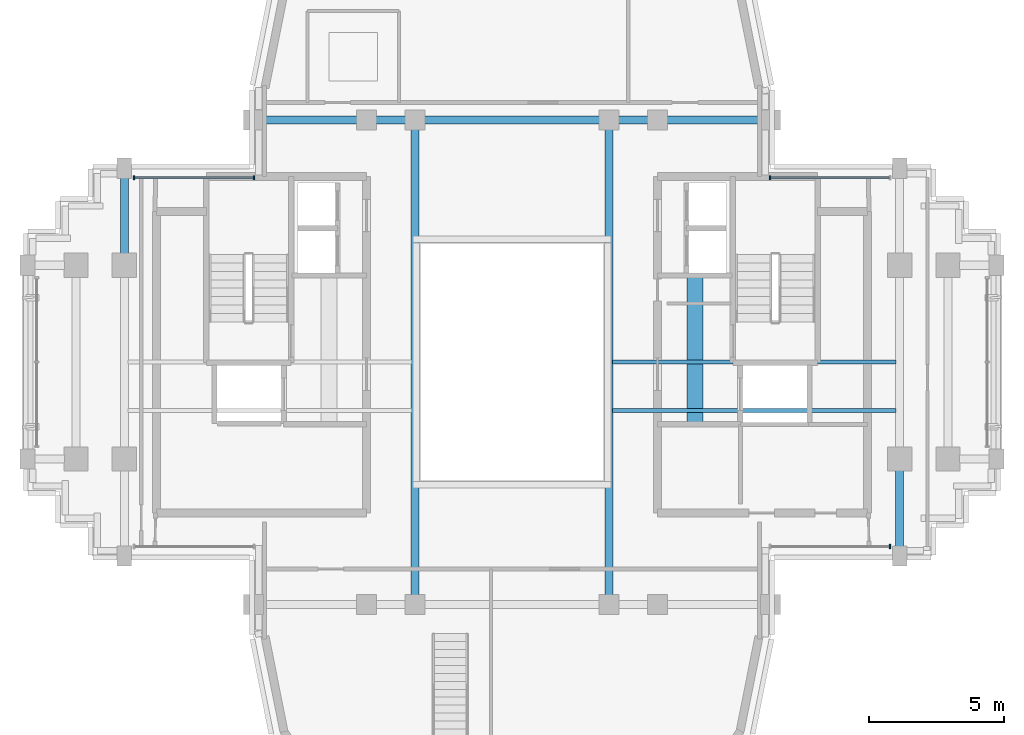
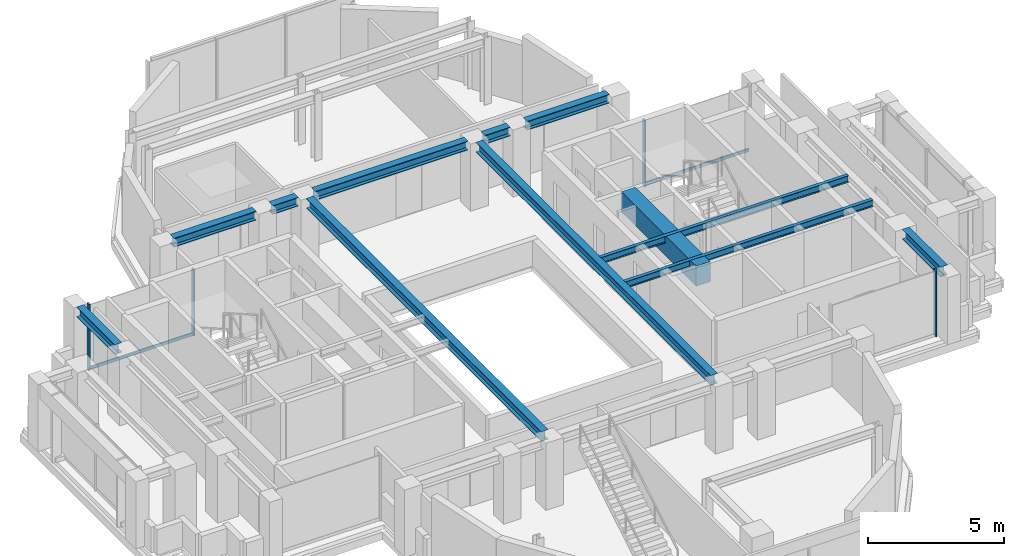
# One storey, part 5 of 12: 12 beams, 6 members, 3 elements without a shape of their own.
"""IFC4 building model written with IfcOpenShell, lengths in metres."""

from ifc_helpers import new_model, si_unit, direction, frame, origin, origin_2d, place, context, subcontext, project, spatial, rectangle, i_section, extrude, source, transform, mapped, material, material_profile, profile_set, type_object, element, aggregate, save


model = new_model("IFC4")

# Units and contexts
model_context = context("Model", 3, precision=1e-05, world=origin(), true_north=direction((0.0, 1.0)))
body_context = subcontext(model_context, "Body", "Model", "MODEL_VIEW")
ifc_project = project(units=[si_unit("LENGTHUNIT", "METRE"), si_unit("AREAUNIT", "SQUARE_METRE"), si_unit("VOLUMEUNIT", "CUBIC_METRE"), si_unit("PLANEANGLEUNIT", "RADIAN"), si_unit("MASSUNIT", "GRAM", prefix="KILO")], contexts=[model_context])

# Site, building, storey
site_placement = place(None, origin())
site = spatial("IfcSite", under=ifc_project, at=site_placement, CompositionType="ELEMENT")
building_placement = place(site_placement, origin())
building = spatial("IfcBuilding", under=site, at=building_placement, Name="Keilestroom Media Tower", CompositionType="ELEMENT")
storey_placement = place(building_placement, frame((0.0, 0.0, 239.60009765625)))
storey = spatial("IfcBuildingStorey", under=building, at=storey_placement, Name="L66", CompositionType="ELEMENT", Elevation=239.60009765625)

# Beams
ifc_material_1 = material(Name="Concrete C70/85", Category="concrete")
ifc_material_profile_1 = material_profile(ifc_material_1, rectangle(XDim=0.60009765625, YDim=0.89990234375, at=origin_2d()), Name="RC 600x900")
ifc_profile_set_1 = profile_set([ifc_material_profile_1], Name="Concrete C70/85")
beam_type_1 = type_object("IfcBeamType", Name="Core-Coupling-Lintel-Beam-RC-600x900", PredefinedType="LINTEL", material=ifc_profile_set_1)
shared_shape_1 = source(origin(), body_context, "Body", "SweptSolid", [
    extrude(rectangle(XDim=0.60009765625, YDim=0.89990234375, at=origin_2d()), origin(), (0.0, 0.0, 1.0), 5.52001953125),
])
beam_1_placement = place(storey_placement, frame((6.800048828125, -2.300048828125, 2.559814453125), z_axis=(0.0, 1.0, 0.0), x_axis=(-1.0, 0.0, 0.0)))
element("IfcBeam", 1, at=beam_1_placement, inside=storey, type_object=beam_type_1, Name="L66 Beam CLB-1 CLB-L66-E", PredefinedType="LINTEL", context=body_context, shape_type="MappedRepresentation", body=[
    mapped(shared_shape_1, transform((0.0, 0.0, 0.0), x_axis=(1.0, 0.0, 0.0), y_axis=(0.0, 1.0, 0.0), z_axis=(0.0, 0.0, 1.0), scale=1.0)),
])
ifc_material_2 = material(Name="Steel S355", Category="steel")
ifc_material_profile_2 = material_profile(ifc_material_2, i_section(OverallWidth=0.300048828125, OverallDepth=0.39990234375, WebThickness=0.011474609375, FlangeThickness=0.02392578125, at=origin_2d()), Name="HEB 400")
ifc_profile_set_2 = profile_set([ifc_material_profile_2], Name="Steel S355")
beam_type_2 = type_object("IfcBeamType", Name="Primary-Structural-Girder-HEB-400", PredefinedType="BEAM", material=ifc_profile_set_2)
shared_shape_2 = source(origin(), body_context, "Body", "SweptSolid", [
    extrude(i_section(OverallWidth=0.300048828125, OverallDepth=0.39990234375, WebThickness=0.011474609375, FlangeThickness=0.02392578125, at=origin_2d()), origin(), (0.0, 0.0, 1.0), 3.490234375),
])
for number, where, z_axis, x_axis, name in (
    (2, (-9.2451171875, 9.0, 2.809814453125), (1.0, 0.0, 0.0), (0.0, 1.0, 0.0), "L66 Beam BG-8 BM-L66-EW-016"),
    (3, (5.7548828125, 9.0, 2.809814453125), (1.0, 0.0, 0.0), (0.0, 1.0, 0.0), "L66 Beam BG-8 BM-L66-EW-020"),
):
    element("IfcBeam", number, at=place(storey_placement, frame(where, z_axis=z_axis, x_axis=x_axis)), inside=storey, type_object=beam_type_2, Name=name, PredefinedType="BEAM", context=body_context, shape_type="MappedRepresentation", body=[
        mapped(shared_shape_2, transform((0.0, 0.0, 0.0), x_axis=(1.0, 0.0, 0.0), y_axis=(0.0, 1.0, 0.0), z_axis=(0.0, 0.0, 1.0), scale=1.0)),
    ])
shared_shape_3 = source(origin(), body_context, "Body", "SweptSolid", [
    extrude(i_section(OverallWidth=0.300048828125, OverallDepth=0.39990234375, WebThickness=0.011474609375, FlangeThickness=0.02392578125, at=origin_2d()), origin(), (0.0, 0.0, 1.0), 1.08984375),
])
for number, where, z_axis, x_axis, name in (
    (4, (-5.044921875, 9.0, 2.809814453125), (1.0, 0.0, 0.0), (0.0, 1.0, 0.0), "L66 Beam BG-8 BM-L66-EW-017"),
    (5, (3.955078125, 9.0, 2.809814453125), (1.0, 0.0, 0.0), (0.0, 1.0, 0.0), "L66 Beam BG-8 BM-L66-EW-019"),
):
    element("IfcBeam", number, at=place(storey_placement, frame(where, z_axis=z_axis, x_axis=x_axis)), inside=storey, type_object=beam_type_2, Name=name, PredefinedType="BEAM", context=body_context, shape_type="MappedRepresentation", body=[
        mapped(shared_shape_3, transform((0.0, 0.0, 0.0), x_axis=(1.0, 0.0, 0.0), y_axis=(0.0, 1.0, 0.0), z_axis=(0.0, 0.0, 1.0), scale=1.0)),
    ])
shared_shape_4 = source(origin(), body_context, "Body", "SweptSolid", [
    extrude(i_section(OverallWidth=0.300048828125, OverallDepth=0.39990234375, WebThickness=0.011474609375, FlangeThickness=0.02392578125, at=origin_2d()), origin(), (0.0, 0.0, 1.0), 6.490234375),
])
beam_2_placement = place(storey_placement, frame((-3.2451171875, 9.0, 2.809814453125), z_axis=(1.0, 0.0, 0.0), x_axis=(0.0, 1.0, 0.0)))
element("IfcBeam", 6, at=beam_2_placement, inside=storey, type_object=beam_type_2, Name="L66 Beam BG-8 BM-L66-EW-018", PredefinedType="BEAM", context=body_context, shape_type="MappedRepresentation", body=[
    mapped(shared_shape_4, transform((0.0, 0.0, 0.0), x_axis=(1.0, 0.0, 0.0), y_axis=(0.0, 1.0, 0.0), z_axis=(0.0, 0.0, 1.0), scale=1.0)),
])
ifc_material_profile_3 = material_profile(ifc_material_2, i_section(OverallWidth=0.300048828125, OverallDepth=0.43994140625, WebThickness=0.011474609375, FlangeThickness=0.02099609375, at=origin_2d()), Name="HEA 450")
ifc_profile_set_3 = profile_set([ifc_material_profile_3], Name="Steel S355")
beam_type_3 = type_object("IfcBeamType", Name="Primary-Structural-Girder-HEA-450", PredefinedType="BEAM", material=ifc_profile_set_3)
shared_shape_5 = source(origin(), body_context, "Body", "SweptSolid", [
    extrude(i_section(OverallWidth=0.300048828125, OverallDepth=0.43994140625, WebThickness=0.011474609375, FlangeThickness=0.02099609375, at=origin_2d()), origin(), (0.0, 0.0, 1.0), 2.81494140625),
])
for number, where, z_axis, x_axis, name in (
    (7, (-14.39990234375, 4.030029296875, 2.789794921875), (0.0, 1.0, 0.0), (-1.0, 0.0, 0.0), "L66 Beam BG-11 BM-L66-NS-029"),
    (8, (14.39990234375, -6.844970703125, 2.789794921875), (0.0, 1.0, 0.0), (-1.0, 0.0, 0.0), "L66 Beam BG-11 BM-L66-NS-040"),
):
    element("IfcBeam", number, at=place(storey_placement, frame(where, z_axis=z_axis, x_axis=x_axis)), inside=storey, type_object=beam_type_3, Name=name, PredefinedType="BEAM", context=body_context, shape_type="MappedRepresentation", body=[
        mapped(shared_shape_5, transform((0.0, 0.0, 0.0), x_axis=(1.0, 0.0, 0.0), y_axis=(0.0, 1.0, 0.0), z_axis=(0.0, 0.0, 1.0), scale=1.0)),
    ])
shared_shape_6 = source(origin(), body_context, "Body", "SweptSolid", [
    extrude(i_section(OverallWidth=0.300048828125, OverallDepth=0.43994140625, WebThickness=0.011474609375, FlangeThickness=0.02099609375, at=origin_2d()), origin(), (0.0, 0.0, 1.0), 17.2900390625),
])
for number, where, z_axis, x_axis, name in (
    (9, (-3.60009765625, -8.64501953125, 2.789794921875), (0.0, 1.0, 0.0), (-1.0, 0.0, 0.0), "L66 Beam BG-11 BM-L66-NS-033"),
    (10, (3.60009765625, -8.64501953125, 2.789794921875), (0.0, 1.0, 0.0), (-1.0, 0.0, 0.0), "L66 Beam BG-11 BM-L66-NS-036"),
):
    element("IfcBeam", number, at=place(storey_placement, frame(where, z_axis=z_axis, x_axis=x_axis)), inside=storey, type_object=beam_type_3, Name=name, PredefinedType="BEAM", context=body_context, shape_type="MappedRepresentation", body=[
        mapped(shared_shape_6, transform((0.0, 0.0, 0.0), x_axis=(1.0, 0.0, 0.0), y_axis=(0.0, 1.0, 0.0), z_axis=(0.0, 0.0, 1.0), scale=1.0)),
    ])
ifc_material_profile_4 = material_profile(ifc_material_2, i_section(OverallWidth=0.14990234375, OverallDepth=0.300048828125, WebThickness=0.007080078125, FlangeThickness=0.0107421875, at=origin_2d()), Name="IPE 300")
ifc_profile_set_4 = profile_set([ifc_material_profile_4], Name="Steel S355")
beam_type_4 = type_object("IfcBeamType", Name="Secondary-Floor-Joist-IPE-300", PredefinedType="JOIST", material=ifc_profile_set_4)
shared_shape_7 = source(origin(), body_context, "Body", "SweptSolid", [
    extrude(i_section(OverallWidth=0.14990234375, OverallDepth=0.300048828125, WebThickness=0.007080078125, FlangeThickness=0.0107421875, at=origin_2d()), origin(), (0.0, 0.0, 1.0), 10.5400390625),
])
for number, where, z_axis, x_axis, name in (
    (11, (3.72998046875, -1.800048828125, 2.85986328125), (1.0, 0.0, 0.0), (0.0, 1.0, 0.0), "L66 Beam BJ-7 JST-L66-047"),
    (12, (3.72998046875, 0.0, 2.85986328125), (1.0, 0.0, 0.0), (0.0, 1.0, 0.0), "L66 Beam BJ-7 JST-L66-050"),
):
    element("IfcBeam", number, at=place(storey_placement, frame(where, z_axis=z_axis, x_axis=x_axis)), inside=storey, type_object=beam_type_4, Name=name, PredefinedType="JOIST", context=body_context, shape_type="MappedRepresentation", body=[
        mapped(shared_shape_7, transform((0.0, 0.0, 0.0), x_axis=(1.0, 0.0, 0.0), y_axis=(0.0, 1.0, 0.0), z_axis=(0.0, 0.0, 1.0), scale=1.0)),
    ])

# Curtain wall, members
ifc_material_3 = material(Name="Anodised Aluminium Alloy", Category="aluminium")
curtain_wall_type = type_object("IfcCurtainWallType", Name="Unitised-Curtain-Wall-CW-4", PredefinedType="NOTDEFINED", material=ifc_material_3)
curtain_wall_1_placement = place(storey_placement, origin())
curtain_wall_1 = element("IfcCurtainWall", 13, at=curtain_wall_1_placement, inside=storey, type_object=curtain_wall_type, Name="L66 Curtain Wall CW-4 CW-L66-NW-1", PredefinedType="NOTDEFINED")
ifc_material_profile_5 = material_profile(ifc_material_3, rectangle(XDim=0.06005859375, YDim=0.159912109375, at=origin_2d()), Name="ALU MULLION 60x160")
ifc_profile_set_5 = profile_set([ifc_material_profile_5], Name="Anodised Aluminium Alloy")
member_type_1 = type_object("IfcMemberType", Name="Curtain-Wall-Mullion-CW-4", PredefinedType="MULLION", material=ifc_profile_set_5)
shared_shape_8 = source(origin(), body_context, "Body", "SweptSolid", [
    extrude(rectangle(XDim=0.06005859375, YDim=0.159912109375, at=origin_2d()), origin(), (0.0, 0.0, 1.0), 2.97998046875),
])
member_1_placement = place(storey_placement, frame((-14.034912109375, 6.85009765625, 0.0), z_axis=(0.0, 0.0, 1.0), x_axis=(1.0, 0.0, 0.0)))
member_1 = element("IfcMember", 14, at=member_1_placement, type_object=member_type_1, Name="CW-4 Mullion 00", PredefinedType="MULLION", context=body_context, shape_type="MappedRepresentation", body=[
    mapped(shared_shape_8, transform((0.0, 0.0, 0.0), x_axis=(1.0, 0.0, 0.0), y_axis=(0.0, 1.0, 0.0), z_axis=(0.0, 0.0, 1.0), scale=1.0)),
])
member_2_placement = place(storey_placement, frame((-9.580078125, 6.85009765625, 0.0), z_axis=(0.0, 0.0, 1.0), x_axis=(1.0, 0.0, 0.0)))
member_2 = element("IfcMember", 15, at=member_2_placement, type_object=member_type_1, Name="CW-4 Mullion 01", PredefinedType="MULLION", context=body_context, shape_type="MappedRepresentation", body=[
    mapped(shared_shape_8, transform((0.0, 0.0, 0.0), x_axis=(1.0, 0.0, 0.0), y_axis=(0.0, 1.0, 0.0), z_axis=(0.0, 0.0, 1.0), scale=1.0)),
])

# Curtain wall, member
curtain_wall_2_placement = place(storey_placement, origin())
curtain_wall_2 = element("IfcCurtainWall", 16, at=curtain_wall_2_placement, inside=storey, type_object=curtain_wall_type, Name="L66 Curtain Wall CW-4 CW-L66-NE-1", PredefinedType="NOTDEFINED")
member_3_placement = place(storey_placement, frame((9.580078125, 6.85009765625, 0.0), z_axis=(0.0, 0.0, 1.0), x_axis=(1.0, 0.0, 0.0)))
member_3 = element("IfcMember", 17, at=member_3_placement, type_object=member_type_1, Name="CW-4 Mullion 00", PredefinedType="MULLION", context=body_context, shape_type="MappedRepresentation", body=[
    mapped(shared_shape_8, transform((0.0, 0.0, 0.0), x_axis=(1.0, 0.0, 0.0), y_axis=(0.0, 1.0, 0.0), z_axis=(0.0, 0.0, 1.0), scale=1.0)),
])

curtain_wall_3_placement = place(storey_placement, origin())
curtain_wall_3 = element("IfcCurtainWall", 18, at=curtain_wall_3_placement, inside=storey, type_object=curtain_wall_type, Name="L66 Curtain Wall CW-4 CW-L66-SE-1", PredefinedType="NOTDEFINED")
member_4_placement = place(storey_placement, frame((14.034912109375, -6.85009765625, 0.0), z_axis=(0.0, 0.0, 1.0), x_axis=(1.0, 0.0, 0.0)))
member_4 = element("IfcMember", 19, at=member_4_placement, type_object=member_type_1, Name="CW-4 Mullion 01", PredefinedType="MULLION", context=body_context, shape_type="MappedRepresentation", body=[
    mapped(shared_shape_8, transform((0.0, 0.0, 0.0), x_axis=(1.0, 0.0, 0.0), y_axis=(0.0, 1.0, 0.0), z_axis=(0.0, 0.0, 1.0), scale=1.0)),
])
aggregate(curtain_wall_3, [member_4])

# Member
ifc_material_profile_6 = material_profile(ifc_material_3, rectangle(XDim=0.06005859375, YDim=0.1298828125, at=origin_2d()), Name="ALU TRANSOM 60x130")
ifc_profile_set_6 = profile_set([ifc_material_profile_6], Name="Anodised Aluminium Alloy")
member_type_2 = type_object("IfcMemberType", Name="Curtain-Wall-Transom-CW-4", PredefinedType="USERDEFINED", material=ifc_profile_set_6)
shared_shape_9 = source(origin(), body_context, "Body", "SweptSolid", [
    extrude(rectangle(XDim=0.06005859375, YDim=0.1298828125, at=origin_2d()), origin(), (0.0, 0.0, 1.0), 4.399169921875),
])
member_5_placement = place(storey_placement, frame((-14.007080078125, 6.85009765625, 0.06494140625), z_axis=(1.0, 0.0, 0.0), x_axis=(0.0, 1.0, 0.0)))
member_5 = element("IfcMember", 20, at=member_5_placement, type_object=member_type_2, Name="CW-4 Transom 00.1", ObjectType="TRANSOM", PredefinedType="USERDEFINED", context=body_context, shape_type="MappedRepresentation", body=[
    mapped(shared_shape_9, transform((0.0, 0.0, 0.0), x_axis=(1.0, 0.0, 0.0), y_axis=(0.0, 1.0, 0.0), z_axis=(0.0, 0.0, 1.0), scale=1.0)),
])

aggregate(curtain_wall_1, [member_1, member_2, member_5])

member_6_placement = place(storey_placement, frame((9.60791015625, 6.85009765625, 0.06494140625), z_axis=(1.0, 0.0, 0.0), x_axis=(0.0, 1.0, 0.0)))
member_6 = element("IfcMember", 21, at=member_6_placement, type_object=member_type_2, Name="CW-4 Transom 00.1", ObjectType="TRANSOM", PredefinedType="USERDEFINED", context=body_context, shape_type="MappedRepresentation", body=[
    mapped(shared_shape_9, transform((0.0, 0.0, 0.0), x_axis=(1.0, 0.0, 0.0), y_axis=(0.0, 1.0, 0.0), z_axis=(0.0, 0.0, 1.0), scale=1.0)),
])

aggregate(curtain_wall_2, [member_3, member_6])

save(model, "model.ifc")
